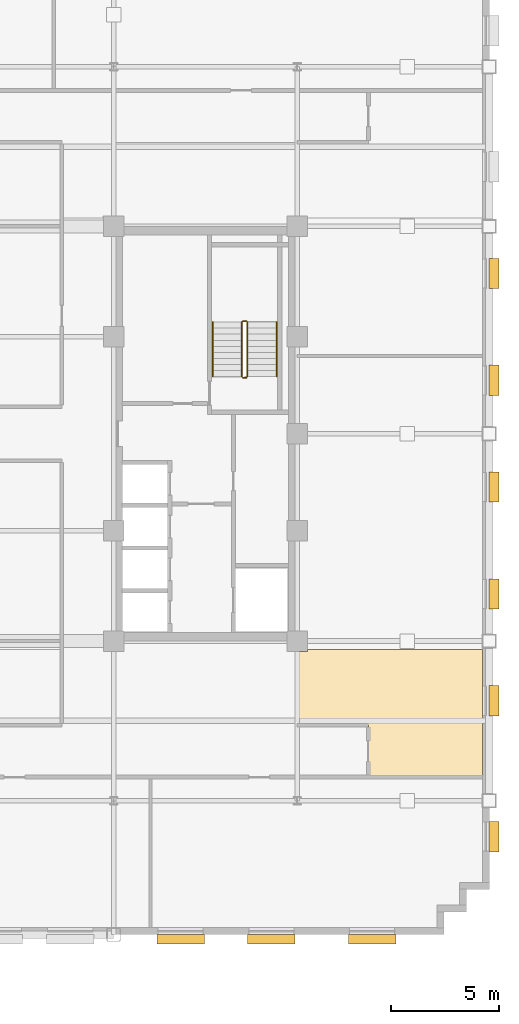
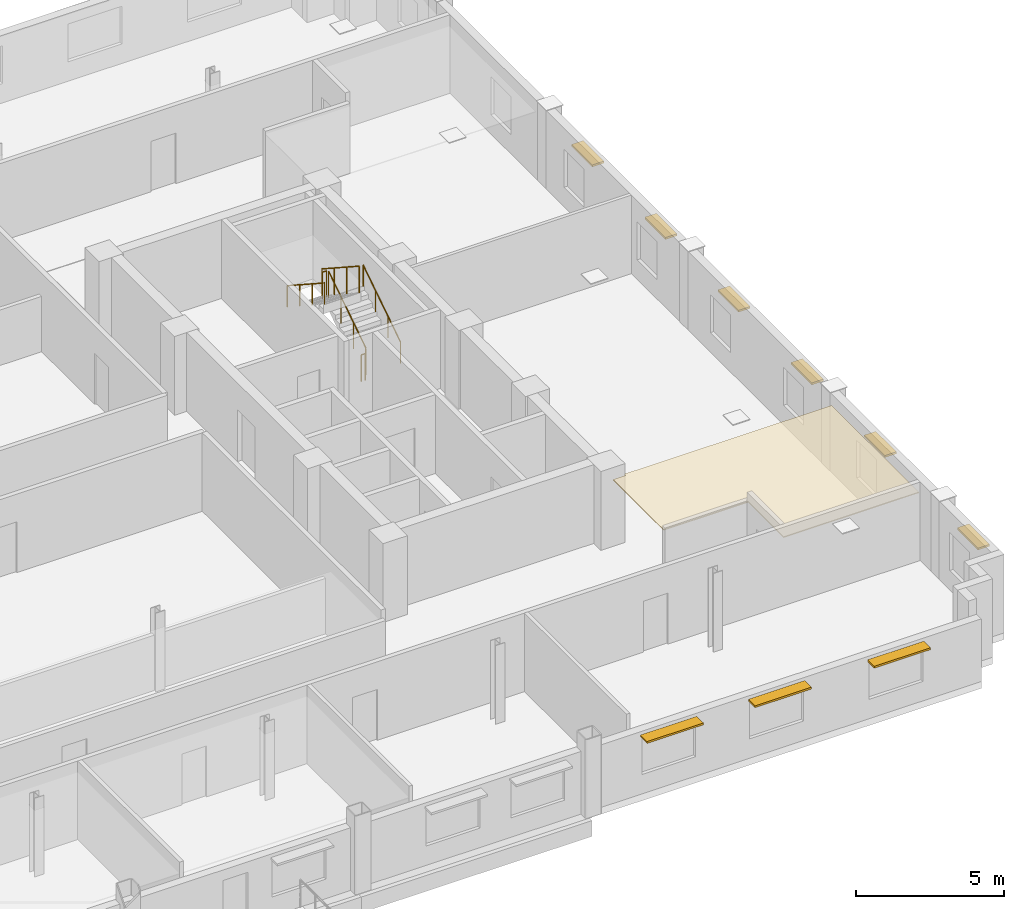
# One storey, part 13 of 14: 9 shading devices, 6 railings, 1 covering.
"""IFC4 building model written with IfcOpenShell, lengths in metres."""

from ifc_helpers import new_model, si_unit, direction, frame, origin, origin_2d, place, context, subcontext, project, spatial, polyline, rectangle, circle, outline, extrude, source, transform, mapped, material, layer, layer_set, type_object, type_shapes, element, save


model = new_model("IFC4")

# Units and contexts
model_context = context("Model", 3, precision=1e-05, world=origin(), true_north=direction((0.0, 1.0)))
body_context = subcontext(model_context, "Body", "Model", "MODEL_VIEW")
ifc_project = project(units=[si_unit("LENGTHUNIT", "METRE"), si_unit("AREAUNIT", "SQUARE_METRE"), si_unit("VOLUMEUNIT", "CUBIC_METRE"), si_unit("PLANEANGLEUNIT", "RADIAN"), si_unit("MASSUNIT", "GRAM", prefix="KILO")], contexts=[model_context])

# Site, building, storey
site_placement = place(None, origin())
site = spatial("IfcSite", under=ifc_project, at=site_placement, CompositionType="ELEMENT")
building_placement = place(site_placement, origin())
building = spatial("IfcBuilding", under=site, at=building_placement, Name="Nuvemarco Arch Tower", CompositionType="ELEMENT")
storey_placement = place(building_placement, frame((0.0, 0.0, 164.0)))
storey = spatial("IfcBuildingStorey", under=building, at=storey_placement, Name="L43", CompositionType="ELEMENT", Elevation=164.0)

# Covering
ifc_material_1 = material(Name="Mineral acoustic ceiling tile")
ifc_layer = layer(ifc_material_1, 0.0400390625, Name="COV-ACOUSTIC-CLG")
ifc_layer_set = layer_set([ifc_layer], Name="Mineral acoustic ceiling tile")
covering_type = type_object("IfcCoveringType", Name="COV-ACOUSTIC-CLG", PredefinedType="CEILING", material=ifc_layer_set)
covering_placement = place(storey_placement, frame((0.0, 0.0, 2.72998046875)))
element("IfcCovering", 1, at=covering_placement, inside=storey, type_object=covering_type, Name="L43 suspended acoustic ceiling 1", PredefinedType="CEILING", context=body_context, shape_type="SweptSolid", body=[
    extrude(outline(polyline([(17.5, -10.090087890625), (17.989990234375, -10.090087890625), (17.989990234375, -10.0), (26.080078125, -10.0), (26.080078125, -15.89990234375), (20.800048828125, -15.89990234375), (20.800048828125, -13.5), (17.5, -13.5), (17.5, -10.090087890625)])), origin(), (0.0, 0.0, 1.0), 0.0400390625),
])

# Railings
ifc_material_2 = material(Name="Brushed stainless steel handrail", Category="steel")
railing_type_1 = type_object("IfcRailingType", Name="RL-HANDRAIL-900", PredefinedType="HANDRAIL", material=ifc_material_2)
railing_1_placement = place(storey_placement, frame((16.550048828125, 2.64990234375, 0.1826171875)))
element("IfcRailing", 2, at=railing_1_placement, inside=storey, type_object=railing_type_1, Name="L43 ST-2 stair handrail 1", PredefinedType="HANDRAIL", context=body_context, shape_type="SweptSolid", body=[
    extrude(circle(Radius=0.02392578125, at=origin_2d()), frame((0.0, 0.0, 0.8759765625), z_axis=(0.0, 0.837786554691, 0.545997883492), x_axis=(-1.0, 0.0, 0.0)), (0.0, 0.0, 1.0), 3.008056640625),
    extrude(circle(Radius=0.02099609375, at=origin_2d()), origin(), (0.0, 0.0, 1.0), 0.851806640625),
    extrude(circle(Radius=0.02099609375, at=origin_2d()), frame((0.0, 0.840087890625, 0.54736328125)), (0.0, 0.0, 1.0), 0.851806640625),
    extrude(circle(Radius=0.02099609375, at=origin_2d()), frame((0.0, 1.679931640625, 1.094970703125)), (0.0, 0.0, 1.0), 0.851806640625),
    extrude(circle(Radius=0.02099609375, at=origin_2d()), frame((0.0, 2.52001953125, 1.642333984375)), (0.0, 0.0, 1.0), 0.851806640625),
])
railing_2_placement = place(storey_placement, frame((13.590087890625, 5.169921875, 2.007568359375)))
element("IfcRailing", 3, at=railing_2_placement, inside=storey, type_object=railing_type_1, Name="L43 ST-2 stair handrail 2", PredefinedType="HANDRAIL", context=body_context, shape_type="SweptSolid", body=[
    extrude(circle(Radius=0.02392578125, at=origin_2d()), frame((0.0, 0.0, 0.8759765625), z_axis=(0.0, -0.837786554691, 0.545997883492), x_axis=(1.0, 0.0, 0.0)), (0.0, 0.0, 1.0), 3.008056640625),
    extrude(circle(Radius=0.02099609375, at=origin_2d()), origin(), (0.0, 0.0, 1.0), 0.851806640625),
    extrude(circle(Radius=0.02099609375, at=origin_2d()), frame((0.0, -0.840087890625, 0.54736328125)), (0.0, 0.0, 1.0), 0.851806640625),
    extrude(circle(Radius=0.02099609375, at=origin_2d()), frame((0.0, -1.679931640625, 1.094970703125)), (0.0, 0.0, 1.0), 0.851806640625),
    extrude(circle(Radius=0.02099609375, at=origin_2d()), frame((0.0, -2.52001953125, 1.642333984375)), (0.0, 0.0, 1.0), 0.851806640625),
])
ifc_material_3 = material(Name="Painted balustrade steel S355", Category="steel")
railing_type_2 = type_object("IfcRailingType", Name="RL-STAIR-GUARD", PredefinedType="GUARDRAIL", material=ifc_material_3)
railing_3_placement = place(storey_placement, frame((15.199951171875, 2.64990234375, 0.1826171875)))
element("IfcRailing", 4, at=railing_3_placement, inside=storey, type_object=railing_type_2, Name="L43 ST-2 stair guard 1", PredefinedType="GUARDRAIL", context=body_context, shape_type="SweptSolid", body=[
    extrude(circle(Radius=0.02392578125, at=origin_2d()), frame((0.0, 0.0, 1.09619140625), z_axis=(0.0, 0.837786554691, 0.545997883492), x_axis=(-1.0, 0.0, 0.0)), (0.0, 0.0, 1.0), 3.008056640625),
    extrude(circle(Radius=0.02099609375, at=origin_2d()), origin(), (0.0, 0.0, 1.0), 1.072021484375),
    extrude(circle(Radius=0.02099609375, at=origin_2d()), frame((0.0, 0.840087890625, 0.54736328125)), (0.0, 0.0, 1.0), 1.072021484375),
    extrude(circle(Radius=0.02099609375, at=origin_2d()), frame((0.0, 1.679931640625, 1.094970703125)), (0.0, 0.0, 1.0), 1.072021484375),
    extrude(circle(Radius=0.02099609375, at=origin_2d()), frame((0.0, 2.52001953125, 1.642333984375)), (0.0, 0.0, 1.0), 1.072021484375),
])
railing_4_placement = place(storey_placement, frame((15.14990234375, 5.219970703125, 1.824951171875)))
element("IfcRailing", 5, at=railing_4_placement, inside=storey, type_object=railing_type_2, Name="L43 ST-2 stair guard 2", PredefinedType="GUARDRAIL", context=body_context, shape_type="SweptSolid", body=[
    extrude(circle(Radius=0.02392578125, at=origin_2d()), frame((0.0, 0.0, 1.09619140625), z_axis=(-1.0, 0.0, 0.0), x_axis=(0.0, -1.0, 0.0)), (0.0, 0.0, 1.0), 0.159912109375),
    extrude(circle(Radius=0.02099609375, at=origin_2d()), origin(), (0.0, 0.0, 1.0), 1.072021484375),
    extrude(circle(Radius=0.02099609375, at=origin_2d()), frame((-0.159912109375, 0.0, 0.0)), (0.0, 0.0, 1.0), 1.072021484375),
])
railing_5_placement = place(storey_placement, frame((14.93994140625, 5.169921875, 2.007568359375)))
element("IfcRailing", 6, at=railing_5_placement, inside=storey, type_object=railing_type_2, Name="L43 ST-2 stair guard 3", PredefinedType="GUARDRAIL", context=body_context, shape_type="SweptSolid", body=[
    extrude(circle(Radius=0.02392578125, at=origin_2d()), frame((0.0, 0.0, 1.09619140625), z_axis=(0.0, -0.837786554691, 0.545997883492), x_axis=(1.0, 0.0, 0.0)), (0.0, 0.0, 1.0), 3.008056640625),
    extrude(circle(Radius=0.02099609375, at=origin_2d()), origin(), (0.0, 0.0, 1.0), 1.072021484375),
    extrude(circle(Radius=0.02099609375, at=origin_2d()), frame((0.0, -0.840087890625, 0.54736328125)), (0.0, 0.0, 1.0), 1.072021484375),
    extrude(circle(Radius=0.02099609375, at=origin_2d()), frame((0.0, -1.679931640625, 1.094970703125)), (0.0, 0.0, 1.0), 1.072021484375),
    extrude(circle(Radius=0.02099609375, at=origin_2d()), frame((0.0, -2.52001953125, 1.642333984375)), (0.0, 0.0, 1.0), 1.072021484375),
])
railing_6_placement = place(storey_placement, frame((15.14990234375, 2.60009765625, 0.0)))
element("IfcRailing", 7, at=railing_6_placement, inside=storey, type_object=railing_type_2, Name="L43 ST-2 stair guard 4", PredefinedType="GUARDRAIL", context=body_context, shape_type="SweptSolid", body=[
    extrude(circle(Radius=0.02392578125, at=origin_2d()), frame((0.0, 0.0, 1.09619140625), z_axis=(-1.0, 0.0, 0.0), x_axis=(0.0, -1.0, 0.0)), (0.0, 0.0, 1.0), 0.159912109375),
    extrude(circle(Radius=0.02099609375, at=origin_2d()), origin(), (0.0, 0.0, 1.0), 1.072021484375),
    extrude(circle(Radius=0.02099609375, at=origin_2d()), frame((-0.159912109375, 0.0, 0.0)), (0.0, 0.0, 1.0), 1.072021484375),
])

# Shading devices
ifc_material_4 = material(Name="Anodised aluminium 6063-T6", Category="aluminium")
shading_device_type_1 = type_object("IfcShadingDeviceType", Name="SHD-BRISE-SOLEIL", PredefinedType="USERDEFINED", material=ifc_material_4)
shared_shape_1 = source(origin(), body_context, "Body", "SweptSolid", [
    extrude(rectangle(XDim=2.199951171875, YDim=0.449951171875, at=origin_2d()), origin(), (0.0, 0.0, 1.0), 0.080078125),
])
type_shapes(shading_device_type_1, [shared_shape_1])
for number, where, z_axis, x_axis, name in (
    (8, (12.10009765625, -23.4150390625, 2.364990234375), (0.0, 0.0, 1.0), (1.0, 0.0, 0.0), "L43 horizontal brise-soleil sunshade"),
    (9, (16.31005859375, -23.4150390625, 2.364990234375), (0.0, 0.0, 1.0), (1.0, 0.0, 0.0), "L43 horizontal brise-soleil sunshade"),
    (10, (20.969970703125, -23.4150390625, 2.364990234375), (0.0, 0.0, 1.0), (1.0, 0.0, 0.0), "L43 horizontal brise-soleil sunshade"),
):
    element("IfcShadingDevice", number, at=place(storey_placement, frame(where, z_axis=z_axis, x_axis=x_axis)), inside=storey, type_object=shading_device_type_1, Name=name, ObjectType="SUNSHADE", PredefinedType="USERDEFINED", context=body_context, shape_type="MappedRepresentation", body=[
        mapped(shared_shape_1, transform((0.0, 0.0, 0.0), scale=1.0)),
    ])
shading_device_type_2 = type_object("IfcShadingDeviceType", Name="SHD-BRISE-NARROW", PredefinedType="USERDEFINED", material=ifc_material_4)
shared_shape_2 = source(origin(), body_context, "Body", "SweptSolid", [
    extrude(rectangle(XDim=1.39990234375, YDim=0.449951171875, at=origin_2d()), origin(), (0.0, 0.0, 1.0), 0.080078125),
])
type_shapes(shading_device_type_2, [shared_shape_2])
for number, where, z_axis, x_axis, name in (
    (11, (26.614990234375, -18.660888671875, 2.364990234375), (0.0, 0.0, 1.0), (0.0, 1.0, 0.0), "L43 horizontal brise-soleil sunshade"),
    (12, (26.614990234375, -12.364990234375, 2.364990234375), (0.0, 0.0, 1.0), (0.0, 1.0, 0.0), "L43 horizontal brise-soleil sunshade"),
    (13, (26.614990234375, -7.4189453125, 2.364990234375), (0.0, 0.0, 1.0), (0.0, 1.0, 0.0), "L43 horizontal brise-soleil sunshade"),
    (14, (26.614990234375, -2.472900390625, 2.364990234375), (0.0, 0.0, 1.0), (0.0, 1.0, 0.0), "L43 horizontal brise-soleil sunshade"),
    (15, (26.614990234375, 2.472900390625, 2.364990234375), (0.0, 0.0, 1.0), (0.0, 1.0, 0.0), "L43 horizontal brise-soleil sunshade"),
    (16, (26.614990234375, 7.4189453125, 2.364990234375), (0.0, 0.0, 1.0), (0.0, 1.0, 0.0), "L43 horizontal brise-soleil sunshade"),
):
    element("IfcShadingDevice", number, at=place(storey_placement, frame(where, z_axis=z_axis, x_axis=x_axis)), inside=storey, type_object=shading_device_type_2, Name=name, ObjectType="SUNSHADE", PredefinedType="USERDEFINED", context=body_context, shape_type="MappedRepresentation", body=[
        mapped(shared_shape_2, transform((0.0, 0.0, 0.0), scale=1.0)),
    ])

save(model, "model.ifc")
